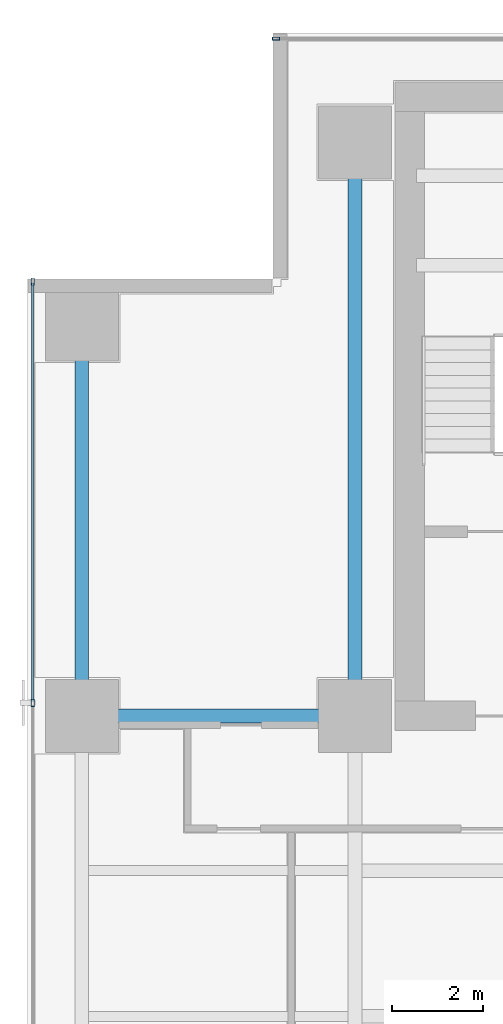
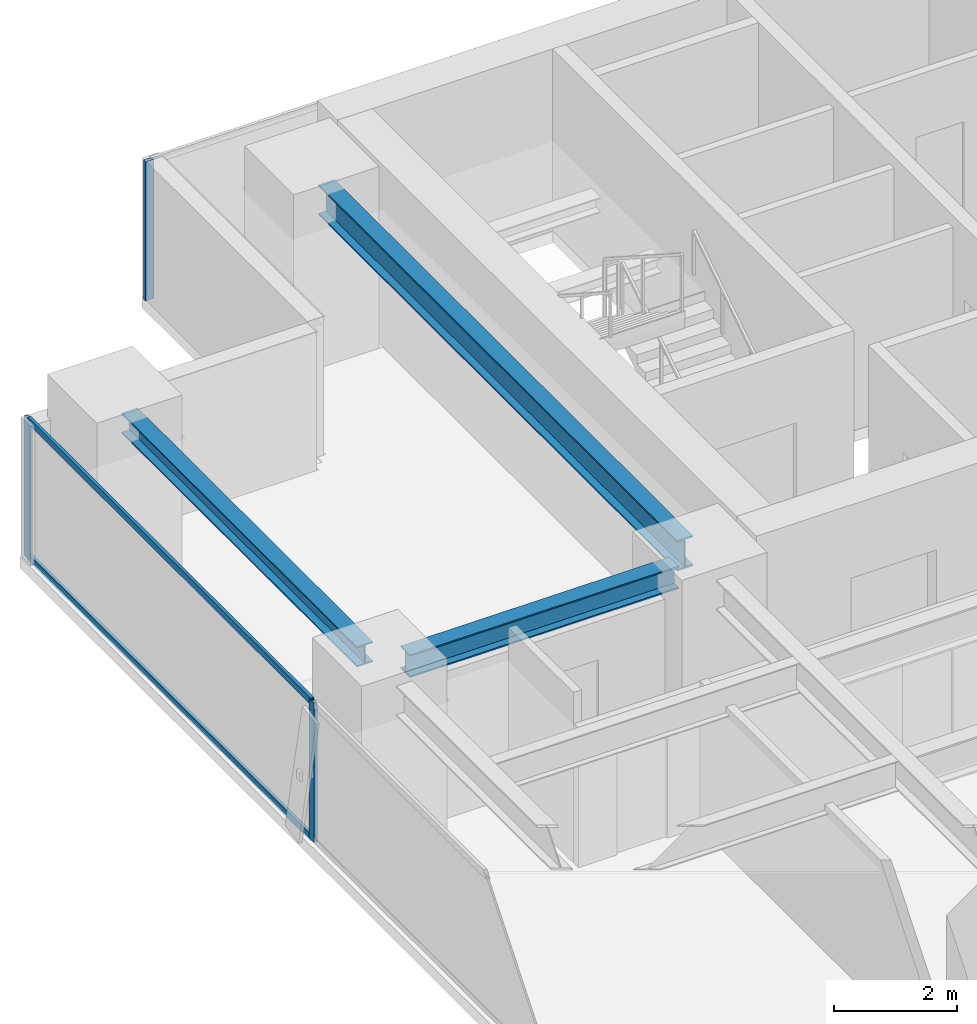
# One storey, part 14 of 28: 5 members, 3 beams, 2 elements without a shape of their own.
"""IFC4 building model written with IfcOpenShell, lengths in metres."""

from ifc_helpers import new_model, si_unit, direction, frame, origin, origin_2d, place, context, subcontext, project, spatial, hollow_rectangle, i_section, extrude, source, transform, mapped, material, layer, layer_set, material_profile, profile_set, type_object, element, aggregate, save


model = new_model("IFC4")

# Units and contexts
model_context = context("Model", 3, precision=1e-05, world=origin(), true_north=direction((0.0, 1.0)))
body_context = subcontext(model_context, "Body", "Model", "MODEL_VIEW")
ifc_project = project(units=[si_unit("LENGTHUNIT", "METRE"), si_unit("AREAUNIT", "SQUARE_METRE"), si_unit("VOLUMEUNIT", "CUBIC_METRE"), si_unit("PLANEANGLEUNIT", "RADIAN"), si_unit("MASSUNIT", "GRAM", prefix="KILO")], contexts=[model_context])

# Site, building, storey
site_placement = place(None, origin())
site = spatial("IfcSite", under=ifc_project, at=site_placement, CompositionType="ELEMENT")
building_placement = place(site_placement, origin())
building = spatial("IfcBuilding", under=site, at=building_placement, Name="Sumidabori Civic Tower", CompositionType="ELEMENT")
storey_placement = place(building_placement, frame((0.0, 0.0, 153.199951171875)))
storey = spatial("IfcBuildingStorey", under=building, at=storey_placement, Name="L39", CompositionType="ELEMENT", Elevation=153.199951171875)

# Beams
ifc_material_1 = material(Name="Steel SN490", Category="steel")
ifc_material_profile_1 = material_profile(ifc_material_1, i_section(OverallWidth=0.300048828125, OverallDepth=0.39990234375, WebThickness=0.013427734375, FlangeThickness=0.02392578125, at=origin_2d()), Name="HE 400 B")
ifc_profile_set_1 = profile_set([ifc_material_profile_1], Name="Steel SN490")
beam_type_1 = type_object("IfcBeamType", Name="BM-GIRD-400", PredefinedType="BEAM", material=ifc_profile_set_1)
shared_shape_1 = source(origin(), body_context, "Body", "SweptSolid", [
    extrude(i_section(OverallWidth=0.300048828125, OverallDepth=0.39990234375, WebThickness=0.013427734375, FlangeThickness=0.02392578125, at=origin_2d()), origin(), (0.0, 0.0, 1.0), 7.64013671875),
])
beam_1_placement = place(storey_placement, frame((-22.800048828125, 10.679931640625, 3.179931640625), z_axis=(0.0, 1.0, 0.0), x_axis=(-1.0, 0.0, 0.0)))
element("IfcBeam", 1, at=beam_1_placement, inside=storey, type_object=beam_type_1, Name="Primary Girder L39 GY-21", PredefinedType="BEAM", context=body_context, shape_type="MappedRepresentation", body=[
    mapped(shared_shape_1, transform((0.0, 0.0, 0.0), x_axis=(1.0, 0.0, 0.0), y_axis=(0.0, 1.0, 0.0), z_axis=(0.0, 0.0, 1.0), scale=1.0)),
])
ifc_material_profile_2 = material_profile(ifc_material_1, i_section(OverallWidth=0.300048828125, OverallDepth=0.60009765625, WebThickness=0.015380859375, FlangeThickness=0.030029296875, at=origin_2d()), Name="HE 600 B")
ifc_profile_set_2 = profile_set([ifc_material_profile_2], Name="Steel SN490")
beam_type_2 = type_object("IfcBeamType", Name="BM-GIRD-600", PredefinedType="BEAM", material=ifc_profile_set_2)
shared_shape_2 = source(origin(), body_context, "Body", "SweptSolid", [
    extrude(i_section(OverallWidth=0.300048828125, OverallDepth=0.60009765625, WebThickness=0.015380859375, FlangeThickness=0.030029296875, at=origin_2d()), origin(), (0.0, 0.0, 1.0), 11.64013671875),
])
beam_2_placement = place(storey_placement, frame((-16.800048828125, 10.679931640625, 3.080078125), z_axis=(0.0, 1.0, 0.0), x_axis=(-1.0, 0.0, 0.0)))
element("IfcBeam", 2, at=beam_2_placement, inside=storey, type_object=beam_type_2, Name="Primary Girder L39 GY-25", PredefinedType="BEAM", context=body_context, shape_type="MappedRepresentation", body=[
    mapped(shared_shape_2, transform((0.0, 0.0, 0.0), x_axis=(1.0, 0.0, 0.0), y_axis=(0.0, 1.0, 0.0), z_axis=(0.0, 0.0, 1.0), scale=1.0)),
])
ifc_material_profile_3 = material_profile(ifc_material_1, i_section(OverallWidth=0.300048828125, OverallDepth=0.449951171875, WebThickness=0.013916015625, FlangeThickness=0.02587890625, at=origin_2d()), Name="HE 450 B")
ifc_profile_set_3 = profile_set([ifc_material_profile_3], Name="Steel SN490")
beam_type_3 = type_object("IfcBeamType", Name="BM-GIRD-450", PredefinedType="BEAM", material=ifc_profile_set_3)
shared_shape_3 = source(origin(), body_context, "Body", "SweptSolid", [
    extrude(i_section(OverallWidth=0.300048828125, OverallDepth=0.449951171875, WebThickness=0.013916015625, FlangeThickness=0.02587890625, at=origin_2d()), origin(), (0.0, 0.0, 1.0), 5.0400390625),
])
beam_3_placement = place(storey_placement, frame((-22.320068359375, 10.199951171875, 3.155029296875), z_axis=(1.0, 0.0, 0.0), x_axis=(0.0, 1.0, 0.0)))
element("IfcBeam", 3, at=beam_3_placement, inside=storey, type_object=beam_type_3, Name="Primary Girder L39 GX-17", PredefinedType="BEAM", context=body_context, shape_type="MappedRepresentation", body=[
    mapped(shared_shape_3, transform((0.0, 0.0, 0.0), x_axis=(1.0, 0.0, 0.0), y_axis=(0.0, 1.0, 0.0), z_axis=(0.0, 0.0, 1.0), scale=1.0)),
])

# Curtain wall, member
ifc_material_2 = material(Name="Anodised Bronze Aluminium AW-6063-T6", Category="aluminium")
ifc_layer = layer(ifc_material_2, 0.179931640625, Name="Anodised Bronze Aluminium AW-6063-T6")
ifc_layer_set = layer_set([ifc_layer], Name="Anodised Bronze Aluminium AW-6063-T6")
curtain_wall_type = type_object("IfcCurtainWallType", Name="CW-SYS-3", PredefinedType="NOTDEFINED", material=ifc_layer_set)
curtain_wall_1_placement = place(storey_placement, origin())
curtain_wall_1 = element("IfcCurtainWall", 4, at=curtain_wall_1_placement, inside=storey, type_object=curtain_wall_type, Name="Curtain Wall CW:L39:R07", PredefinedType="NOTDEFINED")
ifc_material_profile_4 = material_profile(ifc_material_2, hollow_rectangle(XDim=0.06494140625, YDim=0.159912109375, WallThickness=0.0048828125, at=origin_2d()), Name="ALU MULLION 160x65")
ifc_profile_set_4 = profile_set([ifc_material_profile_4], Name="Anodised Bronze Aluminium AW-6063-T6")
member_type_1 = type_object("IfcMemberType", Name="CW-MUL-160", PredefinedType="MULLION", material=ifc_profile_set_4)
shared_shape_4 = source(origin(), body_context, "Body", "SweptSolid", [
    extrude(hollow_rectangle(XDim=0.06494140625, YDim=0.159912109375, WallThickness=0.0048828125, at=origin_2d()), origin(), (0.0, 0.0, 1.0), 2.760009765625),
])
member_1_placement = place(storey_placement, frame((-18.53759765625, 25.080078125, 0.0), z_axis=(0.0, 0.0, 1.0), x_axis=(0.0, -1.0, 0.0)))
member_1 = element("IfcMember", 5, at=member_1_placement, type_object=member_type_1, Name="CW-3 mullion 5", PredefinedType="MULLION", context=body_context, shape_type="MappedRepresentation", body=[
    mapped(shared_shape_4, transform((0.0, 0.0, 0.0), x_axis=(1.0, 0.0, 0.0), y_axis=(0.0, 1.0, 0.0), z_axis=(0.0, 0.0, 1.0), scale=1.0)),
])
aggregate(curtain_wall_1, [member_1])

# Curtain wall, members
curtain_wall_2_placement = place(storey_placement, origin())
curtain_wall_2 = element("IfcCurtainWall", 6, at=curtain_wall_2_placement, inside=storey, type_object=curtain_wall_type, Name="Curtain Wall CW:L39:R10", PredefinedType="NOTDEFINED")
member_2_placement = place(storey_placement, frame((-23.8798828125, 19.737548828125, 0.0), z_axis=(0.0, 0.0, 1.0), x_axis=(1.0, 0.0, 0.0)))
member_2 = element("IfcMember", 7, at=member_2_placement, type_object=member_type_1, Name="CW-3 mullion 1", PredefinedType="MULLION", context=body_context, shape_type="MappedRepresentation", body=[
    mapped(shared_shape_4, transform((0.0, 0.0, 0.0), x_axis=(1.0, 0.0, 0.0), y_axis=(0.0, 1.0, 0.0), z_axis=(0.0, 0.0, 1.0), scale=1.0)),
])
member_3_placement = place(storey_placement, frame((-23.8798828125, 10.485107421875, 0.0), z_axis=(0.0, 0.0, 1.0), x_axis=(1.0, 0.0, 0.0)))
member_3 = element("IfcMember", 8, at=member_3_placement, type_object=member_type_1, Name="CW-3 mullion 2", PredefinedType="MULLION", context=body_context, shape_type="MappedRepresentation", body=[
    mapped(shared_shape_4, transform((0.0, 0.0, 0.0), x_axis=(1.0, 0.0, 0.0), y_axis=(0.0, 1.0, 0.0), z_axis=(0.0, 0.0, 1.0), scale=1.0)),
])
ifc_material_profile_5 = material_profile(ifc_material_2, hollow_rectangle(XDim=0.06005859375, YDim=0.1298828125, WallThickness=0.0048828125, at=origin_2d()), Name="ALU TRANSOM 130x60")
ifc_profile_set_5 = profile_set([ifc_material_profile_5], Name="Anodised Bronze Aluminium AW-6063-T6")
member_type_2 = type_object("IfcMemberType", Name="CW-TRN-130", PredefinedType="USERDEFINED", material=ifc_profile_set_5)
shared_shape_5 = source(origin(), body_context, "Body", "SweptSolid", [
    extrude(hollow_rectangle(XDim=0.06005859375, YDim=0.1298828125, WallThickness=0.0048828125, at=origin_2d()), origin(), (0.0, 0.0, 1.0), 9.1875),
])
member_4_placement = place(storey_placement, frame((-23.8798828125, 19.705078125, 0.030029296875), z_axis=(0.0, -1.0, 0.0), x_axis=(1.0, 0.0, 0.0)))
member_4 = element("IfcMember", 9, at=member_4_placement, type_object=member_type_2, Name="CW-3 transom 1.1", ObjectType="TRANSOM", PredefinedType="USERDEFINED", context=body_context, shape_type="MappedRepresentation", body=[
    mapped(shared_shape_5, transform((0.0, 0.0, 0.0), x_axis=(1.0, 0.0, 0.0), y_axis=(0.0, 1.0, 0.0), z_axis=(0.0, 0.0, 1.0), scale=1.0)),
])
member_5_placement = place(storey_placement, frame((-23.8798828125, 19.705078125, 2.72998046875), z_axis=(0.0, -1.0, 0.0), x_axis=(1.0, 0.0, 0.0)))
member_5 = element("IfcMember", 10, at=member_5_placement, type_object=member_type_2, Name="CW-3 transom 1.2", ObjectType="TRANSOM", PredefinedType="USERDEFINED", context=body_context, shape_type="MappedRepresentation", body=[
    mapped(shared_shape_5, transform((0.0, 0.0, 0.0), x_axis=(1.0, 0.0, 0.0), y_axis=(0.0, 1.0, 0.0), z_axis=(0.0, 0.0, 1.0), scale=1.0)),
])
aggregate(curtain_wall_2, [member_2, member_3, member_4, member_5])

save(model, "model.ifc")
